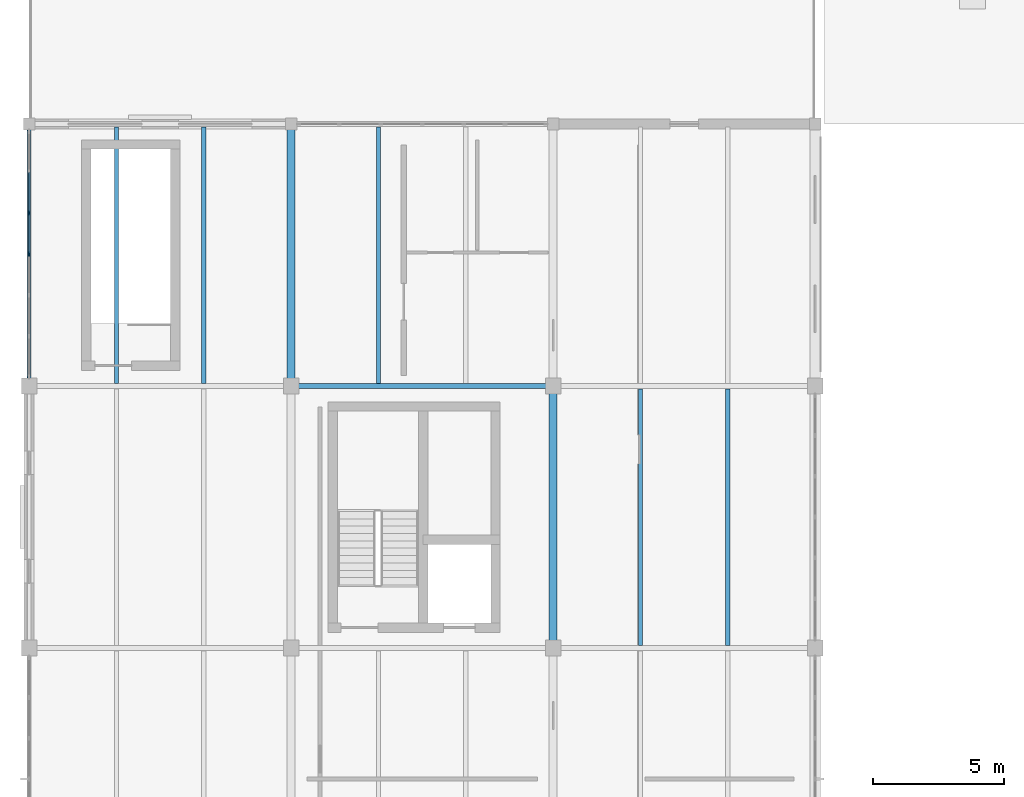
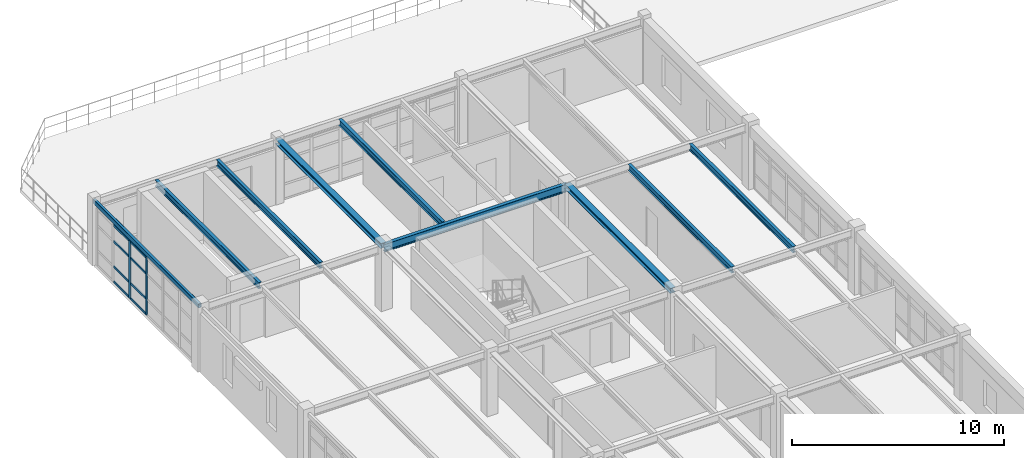
# One storey, part 11 of 23: 10 members, 9 beams, 1 element without a shape of its own.
"""IFC4 building model written with IfcOpenShell, lengths in metres."""

import ifcopenshell
import ifcopenshell.guid

model = None  # the IFC model being written
_history = None  # IfcOwnerHistory: only IFC2X3 demands one
_inside = {}  # id of a spatial element -> (the spatial element, [elements in it])
_under = {}  # id of a project, library or spatial element -> (it, [spatial elements below it])
_declared = {}  # id of a project -> (the project, [libraries it declares])
_typed = {}  # id of a type object -> (the type object, [elements of that type])
_made_of = {}  # id of a material, layer set ... -> (it, [elements and type objects made of it])


def new_model(schema):
    """Start an empty IFC model of exactly this schema.

    Asked for "IFC4X3", IfcOpenShell would pick the latest addendum, in which some entities
    have other attributes; the version numbers below select the first issue.
    IFC2X3 requires an IfcOwnerHistory on every rooted entity: one is made here for all.
    """
    global model, _history
    if schema == "IFC4X3":
        model = ifcopenshell.file(schema_version=(4, 3, 0, 0))
    else:
        model = ifcopenshell.file(schema=schema)
    _inside.clear()
    _under.clear()
    _declared.clear()
    _typed.clear()
    _made_of.clear()
    _history = None
    if model.schema == "IFC2X3":
        org = make("IfcOrganization", Name="unknown")
        user = make(
            "IfcPersonAndOrganization",
            ThePerson=make("IfcPerson", FamilyName="unknown"),
            TheOrganization=org,
        )
        app = make(
            "IfcApplication",
            ApplicationDeveloper=org,
            Version="unknown",
            ApplicationFullName="unknown",
            ApplicationIdentifier="unknown",
        )
        _history = make(
            "IfcOwnerHistory",
            OwningUser=user,
            OwningApplication=app,
            ChangeAction="ADDED",
            CreationDate=0,
        )
    return model


def make(cls, **values):
    """One entity of the class cls with the attributes given. An attribute that is None is left unset."""
    return model.create_entity(
        cls, **{name: value for name, value in values.items() if value is not None}
    )


def rooted(cls, **values):
    """An entity with a GlobalId (a new one), such as an element, a storey or a relation."""
    return make(cls, GlobalId=ifcopenshell.guid.new(), OwnerHistory=_history, **values)


def si_unit(unit_type, name, prefix=None):
    """IfcSIUnit, for example si_unit("LENGTHUNIT", "METRE", prefix="MILLI")."""
    return make("IfcSIUnit", UnitType=unit_type, Prefix=prefix, Name=name)


def assignment(units):
    """IfcUnitAssignment: the units of a project."""
    return None if units is None else make("IfcUnitAssignment", Units=units)


def point(xyz):
    """IfcCartesianPoint."""
    return None if xyz is None else make("IfcCartesianPoint", Coordinates=xyz)


def direction(xyz):
    """IfcDirection."""
    return None if xyz is None else make("IfcDirection", DirectionRatios=xyz)


def frame(location, z_axis=None, x_axis=None):
    """IfcAxis2Placement3D, a coordinate frame: its origin and axes. An axis left out is left unset."""
    return make(
        "IfcAxis2Placement3D",
        Location=point(location),
        Axis=direction(z_axis),
        RefDirection=direction(x_axis),
    )


def frame_2d(location, x_axis=None):
    """IfcAxis2Placement2D, a coordinate frame in the plane: its origin and x axis."""
    return make(
        "IfcAxis2Placement2D", Location=point(location), RefDirection=direction(x_axis)
    )


def origin():
    """The frame at (0, 0, 0) with its axes left unset."""
    return frame((0.0, 0.0, 0.0))


def origin_2d():
    """The frame at (0, 0) in the plane with its x axis left unset."""
    return frame_2d((0.0, 0.0))


def place(relative_to, where):
    """IfcLocalPlacement: puts the frame where relative to a parent placement (None: the world)."""
    return make(
        "IfcLocalPlacement", PlacementRelTo=relative_to, RelativePlacement=where
    )


def context(
    kind, dimensions, precision=None, world=None, true_north=None, identifier=None
):
    """IfcGeometricRepresentationContext, for example the 3D "Model" context."""
    return make(
        "IfcGeometricRepresentationContext",
        ContextIdentifier=identifier,
        ContextType=kind,
        CoordinateSpaceDimension=dimensions,
        Precision=precision,
        WorldCoordinateSystem=world,
        TrueNorth=true_north,
    )


def subcontext(parent, identifier, kind, view, scale=None):
    """IfcGeometricRepresentationSubContext, for example "Body" below "Model"."""
    return make(
        "IfcGeometricRepresentationSubContext",
        ContextIdentifier=identifier,
        ContextType=kind,
        ParentContext=parent,
        TargetScale=scale,
        TargetView=view,
    )


def project(units=None, contexts=None):
    """IfcProject with its units and contexts."""
    return rooted(
        "IfcProject",
        Name="project",
        RepresentationContexts=contexts,
        UnitsInContext=assignment(units),
    )


def spatial(cls, under=None, at=None, **own):
    """A site, building, storey or space (cls), placed at a placement, below another one or the project."""
    s = rooted(cls, ObjectPlacement=at, **own)
    if under is not None:
        _under.setdefault(under.id(), (under, []))[1].append(s)
    return s


def profile(cls, at=None, kind="AREA", **sizes):
    """A parametric profile (cls). Its sizes go by their IFC names, for example OverallWidth=200.0."""
    return make(cls, ProfileType=kind, Position=at, **sizes)


def rectangle(**sizes):
    """IfcRectangleProfileDef."""
    return profile("IfcRectangleProfileDef", **sizes)


def hollow_rectangle(**sizes):
    """IfcRectangleHollowProfileDef."""
    return profile("IfcRectangleHollowProfileDef", **sizes)


def i_section(**sizes):
    """IfcIShapeProfileDef."""
    return profile("IfcIShapeProfileDef", **sizes)


def extrude(swept, where, along, depth):
    """IfcExtrudedAreaSolid: the profile swept, set in the frame where, extruded along a direction by depth."""
    return make(
        "IfcExtrudedAreaSolid",
        SweptArea=swept,
        Position=where,
        ExtrudedDirection=direction(along),
        Depth=depth,
    )


def shape(context_of_items, identifier, shape_type, items):
    """IfcShapeRepresentation: the items that make up one representation, for example the "Body"."""
    return make(
        "IfcShapeRepresentation",
        ContextOfItems=context_of_items,
        RepresentationIdentifier=identifier,
        RepresentationType=shape_type,
        Items=items,
    )


def material(Name=None, Category=None):
    """IfcMaterial."""
    return make("IfcMaterial", Name=Name, Category=Category)


def layer(
    of_material, thickness, ventilated=None, Name=None, Category=None, Priority=None
):
    """IfcMaterialLayer: one layer of a wall or slab, of a material (None: an air gap)."""
    return make(
        "IfcMaterialLayer",
        Material=of_material,
        LayerThickness=thickness,
        IsVentilated=ventilated,
        Name=Name,
        Category=Category,
        Priority=Priority,
    )


def layer_set(layers, Name=None):
    """IfcMaterialLayerSet."""
    return make("IfcMaterialLayerSet", MaterialLayers=layers, LayerSetName=Name)


def material_profile(
    of_material, cross_section, Name=None, Category=None, Priority=None
):
    """IfcMaterialProfile: a cross section and its material."""
    return make(
        "IfcMaterialProfile",
        Name=Name,
        Material=of_material,
        Profile=cross_section,
        Priority=Priority,
        Category=Category,
    )


def profile_set(profiles, Name=None, composite=None):
    """IfcMaterialProfileSet."""
    return make(
        "IfcMaterialProfileSet",
        Name=Name,
        MaterialProfiles=profiles,
        CompositeProfile=composite,
    )


def made_of(thing, what):
    """Note that an element or type object is made of a material, layer set ...; save() writes the relation."""
    if what is not None:
        _made_of.setdefault(what.id(), (what, []))[1].append(thing)
    return thing


def type_object(cls, material=None, **own):
    """A type object (cls), such as IfcWallType, which elements share."""
    return made_of(rooted(cls, **own), material)


def element(
    cls,
    number,
    at=None,
    inside=None,
    cuts=None,
    type_object=None,
    material=None,
    context=None,
    identifier="Body",
    shape_type=None,
    held_by="IfcProductDefinitionShape",
    body=None,
    shapes=None,
    **own,
):
    """One element of the class cls, such as IfcWall. Its Tag is "e" and its number.

    at: its placement. inside: the storey or other place that contains it. cuts: it is an
    opening in that element (IfcRelVoidsElement). A single representation is given by context,
    identifier, shape_type and body (its items); several are given by shapes. held_by: the class
    of the entity that holds the representations. save() writes the other relations.
    """
    e = rooted(cls, Tag="e%d" % number, ObjectPlacement=at, **own)
    if body is not None:
        shapes = [shape(context, identifier, shape_type, body)]
    if shapes is not None:
        e.Representation = make(held_by, Representations=shapes)
    if inside is not None:
        _inside.setdefault(inside.id(), (inside, []))[1].append(e)
    if cuts is not None:
        rooted(
            "IfcRelVoidsElement", RelatingBuildingElement=cuts, RelatedOpeningElement=e
        )
    if type_object is not None:
        _typed.setdefault(type_object.id(), (type_object, []))[1].append(e)
    return made_of(e, material)


def aggregate(whole, parts):
    """IfcRelAggregates: a whole, such as a stair, and the parts it consists of."""
    return rooted("IfcRelAggregates", RelatingObject=whole, RelatedObjects=parts)


def save(model, path):
    """Write the relations noted so far, then the file.

    IfcRelAggregates (storeys below a building ...), IfcRelContainedInSpatialStructure (elements
    in a storey), IfcRelDefinesByType, IfcRelAssociatesMaterial and IfcRelDeclares: one each for
    every whole, place, type object, material and project.
    """
    for whole, parts in _under.values():
        aggregate(whole, parts)
    for where, things in _inside.values():
        rooted(
            "IfcRelContainedInSpatialStructure",
            RelatedElements=things,
            RelatingStructure=where,
        )
    for kind, things in _typed.values():
        rooted("IfcRelDefinesByType", RelatedObjects=things, RelatingType=kind)
    for what, things in _made_of.values():
        rooted("IfcRelAssociatesMaterial", RelatedObjects=things, RelatingMaterial=what)
    for by, libraries in _declared.values():
        rooted("IfcRelDeclares", RelatingContext=by, RelatedDefinitions=libraries)
    model.write(path)


model = new_model("IFC4")

# Units and contexts
model_context = context("Model", 3, precision=1e-05, world=origin(), true_north=direction((0.0, 1.0)))
body_context = subcontext(model_context, "Body", "Model", "MODEL_VIEW")
ifc_project = project(units=[si_unit("LENGTHUNIT", "METRE"), si_unit("AREAUNIT", "SQUARE_METRE"), si_unit("VOLUMEUNIT", "CUBIC_METRE"), si_unit("PLANEANGLEUNIT", "RADIAN"), si_unit("MASSUNIT", "GRAM", prefix="KILO"), si_unit("THERMODYNAMICTEMPERATUREUNIT", "KELVIN"), si_unit("POWERUNIT", "WATT")], contexts=[model_context])

# Site, building, storey
site_placement = place(None, origin())
site = spatial("IfcSite", under=ifc_project, at=site_placement, CompositionType="ELEMENT")
building_placement = place(site_placement, origin())
building = spatial("IfcBuilding", under=site, at=building_placement, Name="Korenveer Ferry Terminal", CompositionType="ELEMENT")
storey_placement = place(building_placement, frame((0.0, 0.0, 14.39990234375)))
storey = spatial("IfcBuildingStorey", under=building, at=storey_placement, Name="L03", CompositionType="ELEMENT", Elevation=14.39990234375)

# Curtain wall, members
ifc_material_1 = material(Name="Unitised bronze-and-glass curtain wall", Category="glass")
ifc_layer = layer(ifc_material_1, 0.159912109375)
ifc_layer_set = layer_set([ifc_layer], Name="Unitised bronze-and-glass curtain wall")
curtain_wall_type = type_object("IfcCurtainWallType", Name="ENV-CW-126", PredefinedType="USERDEFINED", material=ifc_layer_set)
curtain_wall_placement = place(storey_placement, frame((0.0, 60.330078125, 0.0)))
curtain_wall = element("IfcCurtainWall", 1, at=curtain_wall_placement, inside=storey, type_object=curtain_wall_type, Name="Lancet curtain wall CWX-L03-X0-0-Y60-70", ObjectType="UNITISED CURTAIN WALL", PredefinedType="USERDEFINED")
ifc_material_2 = material(Name="Anodised bronze aluminium", Category="aluminium")
ifc_material_profile_1 = material_profile(ifc_material_2, rectangle(XDim=0.06005859375, YDim=0.159912109375, at=origin_2d()), Name="ALU 60x160")
ifc_profile_set_1 = profile_set([ifc_material_profile_1], Name="Anodised bronze aluminium")
member_type_1 = type_object("IfcMemberType", Name="ENV-CWM-60X160", PredefinedType="MULLION", material=ifc_profile_set_1)
member_1_placement = place(storey_placement, frame((0.0, 65.03759765625, 0.0), z_axis=(0.0, 0.0, 1.0), x_axis=(-1.0, 0.0, 0.0)))
member_1 = element("IfcMember", 2, at=member_1_placement, type_object=member_type_1, Name="CW-126 mullion 4", PredefinedType="MULLION", context=body_context, shape_type="SweptSolid", body=[
    extrude(rectangle(XDim=0.06005859375, YDim=0.159912109375, at=origin_2d()), origin(), (0.0, 0.0, 1.0), 3.300048828125),
])
member_2_placement = place(storey_placement, frame((0.0, 66.606689453125, 0.0), z_axis=(0.0, 0.0, 1.0), x_axis=(-1.0, 0.0, 0.0)))
member_2 = element("IfcMember", 3, at=member_2_placement, type_object=member_type_1, Name="CW-126 mullion 5", PredefinedType="MULLION", context=body_context, shape_type="SweptSolid", body=[
    extrude(rectangle(XDim=0.06005859375, YDim=0.159912109375, at=origin_2d()), origin(), (0.0, 0.0, 1.0), 3.300048828125),
])
ifc_material_profile_2 = material_profile(ifc_material_2, rectangle(XDim=0.06005859375, YDim=0.1201171875, at=origin_2d()), Name="ALU 60x120")
ifc_profile_set_2 = profile_set([ifc_material_profile_2], Name="Anodised bronze aluminium")
member_type_2 = type_object("IfcMemberType", Name="ENV-CWT-60X120", PredefinedType="USERDEFINED", material=ifc_profile_set_2)
member_3_placement = place(storey_placement, frame((0.0, 65.0673828125, 0.030029296875), z_axis=(0.0, 1.0, 0.0), x_axis=(-1.0, 0.0, 0.0)))
member_3 = element("IfcMember", 4, at=member_3_placement, type_object=member_type_2, Name="CW-126 transom 4.1", ObjectType="TRANSOM", PredefinedType="USERDEFINED", context=body_context, shape_type="SweptSolid", body=[
    extrude(rectangle(XDim=0.06005859375, YDim=0.1201171875, at=origin_2d()), origin(), (0.0, 0.0, 1.0), 1.50927734375),
])
member_4_placement = place(storey_placement, frame((0.0, 65.0673828125, 0.900146484375), z_axis=(0.0, 1.0, 0.0), x_axis=(-1.0, 0.0, 0.0)))
member_4 = element("IfcMember", 5, at=member_4_placement, type_object=member_type_2, Name="CW-126 transom 4.2", ObjectType="TRANSOM", PredefinedType="USERDEFINED", context=body_context, shape_type="SweptSolid", body=[
    extrude(rectangle(XDim=0.06005859375, YDim=0.1201171875, at=origin_2d()), origin(), (0.0, 0.0, 1.0), 1.50927734375),
])
member_5_placement = place(storey_placement, frame((0.0, 65.0673828125, 2.35009765625), z_axis=(0.0, 1.0, 0.0), x_axis=(-1.0, 0.0, 0.0)))
member_5 = element("IfcMember", 6, at=member_5_placement, type_object=member_type_2, Name="CW-126 transom 4.3", ObjectType="TRANSOM", PredefinedType="USERDEFINED", context=body_context, shape_type="SweptSolid", body=[
    extrude(rectangle(XDim=0.06005859375, YDim=0.1201171875, at=origin_2d()), origin(), (0.0, 0.0, 1.0), 1.50927734375),
])
member_6_placement = place(storey_placement, frame((0.0, 65.0673828125, 3.27001953125), z_axis=(0.0, 1.0, 0.0), x_axis=(-1.0, 0.0, 0.0)))
member_6 = element("IfcMember", 7, at=member_6_placement, type_object=member_type_2, Name="CW-126 transom 4.4", ObjectType="TRANSOM", PredefinedType="USERDEFINED", context=body_context, shape_type="SweptSolid", body=[
    extrude(rectangle(XDim=0.06005859375, YDim=0.1201171875, at=origin_2d()), origin(), (0.0, 0.0, 1.0), 1.50927734375),
])
member_7_placement = place(storey_placement, frame((0.0, 66.63671875, 0.030029296875), z_axis=(0.0, 1.0, 0.0), x_axis=(-1.0, 0.0, 0.0)))
member_7 = element("IfcMember", 8, at=member_7_placement, type_object=member_type_2, Name="CW-126 transom 5.1", ObjectType="TRANSOM", PredefinedType="USERDEFINED", context=body_context, shape_type="SweptSolid", body=[
    extrude(rectangle(XDim=0.06005859375, YDim=0.1201171875, at=origin_2d()), origin(), (0.0, 0.0, 1.0), 1.509033203125),
])
member_8_placement = place(storey_placement, frame((0.0, 66.63671875, 0.900146484375), z_axis=(0.0, 1.0, 0.0), x_axis=(-1.0, 0.0, 0.0)))
member_8 = element("IfcMember", 9, at=member_8_placement, type_object=member_type_2, Name="CW-126 transom 5.2", ObjectType="TRANSOM", PredefinedType="USERDEFINED", context=body_context, shape_type="SweptSolid", body=[
    extrude(rectangle(XDim=0.06005859375, YDim=0.1201171875, at=origin_2d()), origin(), (0.0, 0.0, 1.0), 1.509033203125),
])
member_9_placement = place(storey_placement, frame((0.0, 66.63671875, 2.35009765625), z_axis=(0.0, 1.0, 0.0), x_axis=(-1.0, 0.0, 0.0)))
member_9 = element("IfcMember", 10, at=member_9_placement, type_object=member_type_2, Name="CW-126 transom 5.3", ObjectType="TRANSOM", PredefinedType="USERDEFINED", context=body_context, shape_type="SweptSolid", body=[
    extrude(rectangle(XDim=0.06005859375, YDim=0.1201171875, at=origin_2d()), origin(), (0.0, 0.0, 1.0), 1.509033203125),
])
member_10_placement = place(storey_placement, frame((0.0, 66.63671875, 3.27001953125), z_axis=(0.0, 1.0, 0.0), x_axis=(-1.0, 0.0, 0.0)))
member_10 = element("IfcMember", 11, at=member_10_placement, type_object=member_type_2, Name="CW-126 transom 5.4", ObjectType="TRANSOM", PredefinedType="USERDEFINED", context=body_context, shape_type="SweptSolid", body=[
    extrude(rectangle(XDim=0.06005859375, YDim=0.1201171875, at=origin_2d()), origin(), (0.0, 0.0, 1.0), 1.509033203125),
])
aggregate(curtain_wall, [member_1, member_2, member_3, member_4, member_5, member_6, member_7, member_8, member_9, member_10])

# Beams
ifc_material_3 = material(Name="Steel S355", Category="steel")
ifc_material_profile_3 = material_profile(ifc_material_3, i_section(OverallWidth=0.300048828125, OverallDepth=0.2900390625, WebThickness=0.008544921875, FlangeThickness=0.013916015625, FilletRadius=0.027099609375, at=origin_2d()), Name="HEA 300")
ifc_profile_set_3 = profile_set([ifc_material_profile_3], Name="Steel S355")
beam_type_1 = type_object("IfcBeamType", Name="STR-BM-HEA300", PredefinedType="BEAM", material=ifc_profile_set_3)
for number, where, z_axis, x_axis, name in (
    (12, (10.0, 60.02001953125, 3.53515625), (0.0, 1.0, 0.0), (-1.0, 0.0, 0.0), "Primary Y girder BMY-L04-X10-Y60-70"),
    (13, (20.0, 50.02001953125, 3.505126953125), (0.0, 1.0, 0.0), (-1.0, 0.0, 0.0), "Primary Y girder BMY-L04-X20-Y50-60"),
):
    element("IfcBeam", number, at=place(storey_placement, frame(where, z_axis=z_axis, x_axis=x_axis)), inside=storey, type_object=beam_type_1, Name=name, PredefinedType="BEAM", context=body_context, shape_type="SweptSolid", body=[
        extrude(i_section(OverallWidth=0.300048828125, OverallDepth=0.2900390625, WebThickness=0.008544921875, FlangeThickness=0.013916015625, FilletRadius=0.027099609375, at=origin_2d()), origin(), (0.0, 0.0, 1.0), 9.9599609375),
    ])
ifc_material_profile_4 = material_profile(ifc_material_3, i_section(OverallWidth=0.18994140625, OverallDepth=0.449951171875, WebThickness=0.009521484375, FlangeThickness=0.0146484375, FilletRadius=0.02099609375, at=origin_2d()), Name="IPE 450")
ifc_profile_set_4 = profile_set([ifc_material_profile_4], Name="Steel S355")
beam_type_2 = type_object("IfcBeamType", Name="STR-BM-IPE450", PredefinedType="BEAM", material=ifc_profile_set_4)
beam_1_placement = place(storey_placement, frame((10.02001953125, 60.0, 3.425048828125), z_axis=(1.0, 0.0, 0.0), x_axis=(0.0, 1.0, 0.0)))
element("IfcBeam", 14, at=beam_1_placement, inside=storey, type_object=beam_type_2, Name="Primary X girder BMX-L04-X10-20-Y60", PredefinedType="BEAM", context=body_context, shape_type="SweptSolid", body=[
    extrude(i_section(OverallWidth=0.18994140625, OverallDepth=0.449951171875, WebThickness=0.009521484375, FlangeThickness=0.0146484375, FilletRadius=0.02099609375, at=origin_2d()), origin(), (0.0, 0.0, 1.0), 9.9599609375),
])
ifc_material_profile_5 = material_profile(ifc_material_3, i_section(OverallWidth=0.169921875, OverallDepth=0.360107421875, WebThickness=0.008056640625, FlangeThickness=0.0126953125, FilletRadius=0.01806640625, at=origin_2d()), Name="IPE 360")
ifc_profile_set_5 = profile_set([ifc_material_profile_5], Name="Steel S355")
beam_type_3 = type_object("IfcBeamType", Name="STR-JST-IPE360", PredefinedType="JOIST", material=ifc_profile_set_5)
for number, where, z_axis, x_axis, name in (
    (15, (3.333251953125, 60.10498046875, 3.5), (0.0, 1.0, 0.0), (-1.0, 0.0, 0.0), "Secondary composite joist JST-L04-X33-Y60-70"),
    (16, (6.666748046875, 60.10498046875, 3.5), (0.0, 1.0, 0.0), (-1.0, 0.0, 0.0), "Secondary composite joist JST-L04-X67-Y60-70"),
    (17, (13.333251953125, 60.10498046875, 3.5), (0.0, 1.0, 0.0), (-1.0, 0.0, 0.0), "Secondary composite joist JST-L04-X133-Y60-70"),
    (18, (23.333251953125, 50.10498046875, 3.47021484375), (0.0, 1.0, 0.0), (-1.0, 0.0, 0.0), "Secondary composite joist JST-L04-X233-Y50-60"),
    (19, (26.666748046875, 50.10498046875, 3.47021484375), (0.0, 1.0, 0.0), (-1.0, 0.0, 0.0), "Secondary composite joist JST-L04-X267-Y50-60"),
):
    element("IfcBeam", number, at=place(storey_placement, frame(where, z_axis=z_axis, x_axis=x_axis)), inside=storey, type_object=beam_type_3, Name=name, PredefinedType="JOIST", context=body_context, shape_type="SweptSolid", body=[
        extrude(i_section(OverallWidth=0.169921875, OverallDepth=0.360107421875, WebThickness=0.008056640625, FlangeThickness=0.0126953125, FilletRadius=0.01806640625, at=origin_2d()), origin(), (0.0, 0.0, 1.0), 9.7900390625),
    ])
ifc_material_profile_6 = material_profile(ifc_material_3, hollow_rectangle(XDim=0.14990234375, YDim=0.25, WallThickness=0.010009765625, InnerFilletRadius=0.010009765625, OuterFilletRadius=0.014892578125, at=origin_2d()), Name="RHS 250x150x10")
ifc_profile_set_6 = profile_set([ifc_material_profile_6], Name="Steel S355")
beam_type_4 = type_object("IfcBeamType", Name="STR-SPD-RHS250", PredefinedType="SPANDREL", material=ifc_profile_set_6)
beam_2_placement = place(storey_placement, frame((0.0, 60.02001953125, 3.55517578125), z_axis=(0.0, 1.0, 0.0), x_axis=(-1.0, 0.0, 0.0)))
element("IfcBeam", 20, at=beam_2_placement, inside=storey, type_object=beam_type_4, Name="Primary Y girder BMY-L04-X0-Y60-70", PredefinedType="SPANDREL", context=body_context, shape_type="SweptSolid", body=[
    extrude(hollow_rectangle(XDim=0.14990234375, YDim=0.25, WallThickness=0.010009765625, InnerFilletRadius=0.010009765625, OuterFilletRadius=0.014892578125, at=origin_2d()), origin(), (0.0, 0.0, 1.0), 9.9599609375),
])

save(model, "model.ifc")
